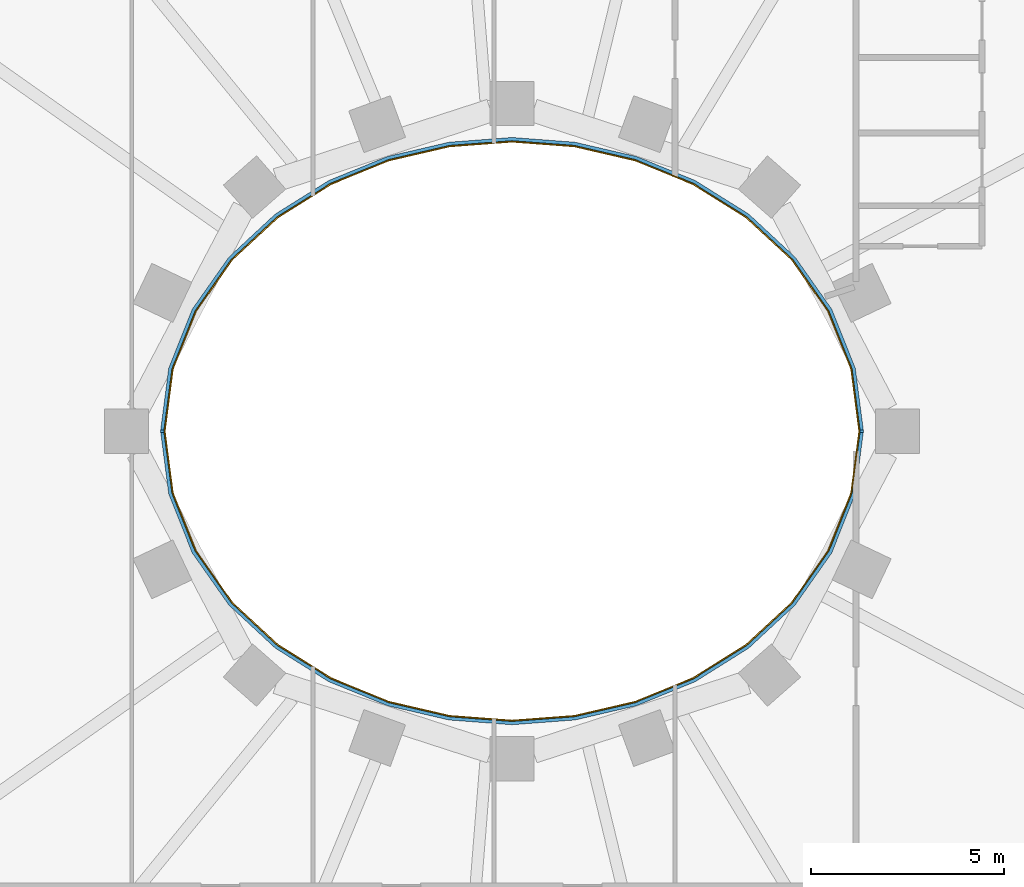
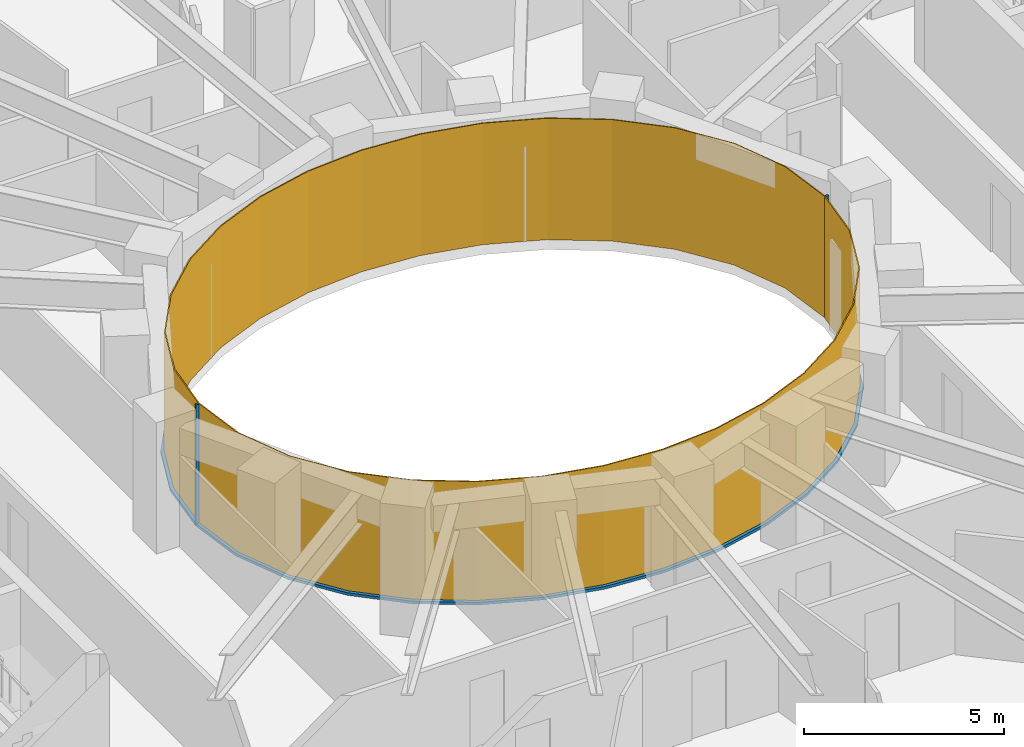
# One storey, part 10 of 15: 4 members, 2 curtain walls.
"""IFC4 building model written with IfcOpenShell, lengths in metres."""

from ifc_helpers import new_model, si_unit, direction, frame, origin, origin_2d, place, context, subcontext, project, spatial, polyline, rectangle, outline, extrude, material, layer, layer_set, material_profile, profile_set, type_object, element, aggregate, save


model = new_model("IFC4")

# Units and contexts
model_context = context("Model", 3, precision=1e-05, world=origin(), true_north=direction((0.0, 1.0)))
body_context = subcontext(model_context, "Body", "Model", "MODEL_VIEW")
ifc_project = project(units=[si_unit("LENGTHUNIT", "METRE"), si_unit("AREAUNIT", "SQUARE_METRE"), si_unit("VOLUMEUNIT", "CUBIC_METRE"), si_unit("PLANEANGLEUNIT", "RADIAN"), si_unit("MASSUNIT", "GRAM", prefix="KILO")], contexts=[model_context])

# Member
ifc_material_1 = material(Name="Steel S355 fire-resisting frame", Category="steel")
ifc_material_profile = material_profile(ifc_material_1, rectangle(XDim=0.090087890625, YDim=0.06005859375, at=origin_2d()), Name="90x60")
ifc_profile_set = profile_set([ifc_material_profile], Name="Steel S355 fire-resisting frame")
member_type_1 = type_object("IfcMemberType", Name="ENV-MULLION-W-90", PredefinedType="MULLION", material=ifc_profile_set)
site_placement = place(None, origin())
building_placement = place(site_placement, origin())
storey_placement = place(building_placement, frame((0.0, 0.0, 128.0)))
member_1_placement = place(storey_placement, frame((9.076904296875, 0.0, 0.0), z_axis=(0.0, 0.0, 1.0), x_axis=(1.0, 0.0, 0.0)))
member_1 = element("IfcMember", 1, at=member_1_placement, type_object=member_type_1, Name="Mullion W well vertex 01", PredefinedType="MULLION", context=body_context, shape_type="SweptSolid", body=[
    extrude(rectangle(XDim=0.090087890625, YDim=0.06005859375, at=origin_2d()), origin(), (0.0, 0.0, 1.0), 3.699951171875),
])

member_2_placement = place(storey_placement, frame((-9.076904296875, 0.0, 0.0), z_axis=(0.0, 0.0, 1.0), x_axis=(-1.0, 0.0, 0.0)))
member_2 = element("IfcMember", 2, at=member_2_placement, type_object=member_type_1, Name="Mullion W well vertex 17", PredefinedType="MULLION", context=body_context, shape_type="SweptSolid", body=[
    extrude(rectangle(XDim=0.090087890625, YDim=0.06005859375, at=origin_2d()), origin(), (0.0, 0.0, 1.0), 3.699951171875),
])

ifc_material_2 = material(Name="Steel S355 fire-resisting frame", Category="steel")
member_type_2 = type_object("IfcMemberType", Name="ENV-TRANSOM-W", PredefinedType="USERDEFINED", material=ifc_material_2)
member_3_placement = place(storey_placement, origin())
member_3 = element("IfcMember", 3, at=member_3_placement, type_object=member_type_2, Name="Transom W well 01-17", ObjectType="TRANSOM", PredefinedType="USERDEFINED", context=body_context, shape_type="SweptSolid", body=[
    extrude(outline(polyline([(9.119384765625, 0.02783203125), (8.910400390625, 1.63623046875), (8.29833984375, 3.167236328125), (7.35107421875, 4.5146484375), (6.1455078125, 5.6337890625), (4.75341796875, 6.50634765625), (3.233642578125, 7.127685546875), (1.635498046875, 7.498779296875), (0.0, 7.622314453125), (-1.635498046875, 7.498779296875), (-3.233642578125, 7.127685546875), (-4.75341796875, 6.50634765625), (-6.1455078125, 5.6337890625), (-7.35107421875, 4.5146484375), (-8.29833984375, 3.167236328125), (-8.910400390625, 1.63623046875), (-9.119384765625, 0.02783203125), (-9.02880859375, 0.02783203125), (-8.822509765625, 1.61328125), (-8.21875, 3.124267578125), (-7.282958984375, 4.455078125), (-6.090576171875, 5.56201171875), (-4.712158203125, 6.426025390625), (-3.206298828125, 7.04150390625), (-1.621826171875, 7.40966796875), (0.0, 7.531982421875), (1.621826171875, 7.40966796875), (3.206298828125, 7.04150390625), (4.712158203125, 6.426025390625), (6.090576171875, 5.56201171875), (7.282958984375, 4.455078125), (8.21875, 3.124267578125), (8.822509765625, 1.61328125), (9.02880859375, 0.02783203125), (9.119384765625, 0.02783203125)])), origin(), (0.0, 0.0, 1.0), 0.080078125),
])

member_4_placement = place(storey_placement, origin())
member_4 = element("IfcMember", 4, at=member_4_placement, type_object=member_type_2, Name="Transom W well 17-01", ObjectType="TRANSOM", PredefinedType="USERDEFINED", context=body_context, shape_type="SweptSolid", body=[
    extrude(outline(polyline([(-9.119384765625, -0.02783203125), (-8.910400390625, -1.63623046875), (-8.29833984375, -3.167236328125), (-7.35107421875, -4.5146484375), (-6.1455078125, -5.6337890625), (-4.75341796875, -6.50634765625), (-3.233642578125, -7.127685546875), (-1.635498046875, -7.498779296875), (0.0, -7.622314453125), (1.635498046875, -7.498779296875), (3.233642578125, -7.127685546875), (4.75341796875, -6.50634765625), (6.1455078125, -5.6337890625), (7.35107421875, -4.5146484375), (8.29833984375, -3.167236328125), (8.910400390625, -1.63623046875), (9.119384765625, -0.02783203125), (9.02880859375, -0.02783203125), (8.822509765625, -1.61328125), (8.21875, -3.124267578125), (7.282958984375, -4.455078125), (6.090576171875, -5.56201171875), (4.712158203125, -6.426025390625), (3.206298828125, -7.04150390625), (1.621826171875, -7.40966796875), (0.0, -7.531982421875), (-1.621826171875, -7.40966796875), (-3.206298828125, -7.04150390625), (-4.712158203125, -6.426025390625), (-6.090576171875, -5.56201171875), (-7.282958984375, -4.455078125), (-8.21875, -3.124267578125), (-8.822509765625, -1.61328125), (-9.02880859375, -0.02783203125), (-9.119384765625, -0.02783203125)])), origin(), (0.0, 0.0, 1.0), 0.080078125),
])

# Site, building, storey
site = spatial("IfcSite", under=ifc_project, at=site_placement, CompositionType="ELEMENT")
building = spatial("IfcBuilding", under=site, at=building_placement, Name="Noorbagh Ring Tower", CompositionType="ELEMENT")
storey = spatial("IfcBuildingStorey", under=building, at=storey_placement, Name="L29", CompositionType="ELEMENT", Elevation=128.0)

# Curtain wall
ifc_material_3 = material(Name="Glass fire-resisting E60 laminated", Category="glass")
ifc_layer = layer(ifc_material_3, 0.031982421875)
ifc_layer_set = layer_set([ifc_layer], Name="Glass fire-resisting E60 laminated")
curtain_wall_type = type_object("IfcCurtainWallType", Name="ENV-CW-W", PredefinedType="NOTDEFINED", material=ifc_layer_set)
curtain_wall_1_placement = place(storey_placement, origin())
curtain_wall_1 = element("IfcCurtainWall", 5, at=curtain_wall_1_placement, inside=storey, type_object=curtain_wall_type, Name="Curtain wall W W01", PredefinedType="NOTDEFINED", context=body_context, shape_type="SweptSolid", body=[
    extrude(outline(polyline([(9.0322265625, 0.0), (8.822509765625, 1.61328125), (8.21875, 3.124267578125), (7.282958984375, 4.455078125), (6.090576171875, 5.56201171875), (4.712158203125, 6.426025390625), (3.206298828125, 7.04150390625), (1.621826171875, 7.40966796875), (0.0, 7.531982421875), (-1.621826171875, 7.40966796875), (-3.206298828125, 7.04150390625), (-4.712158203125, 6.426025390625), (-6.090576171875, 5.56201171875), (-7.282958984375, 4.455078125), (-8.21875, 3.124267578125), (-8.822509765625, 1.61328125), (-9.0322265625, 0.0), (-9.0, 0.0), (-8.79150390625, 1.605224609375), (-8.1904296875, 3.10888671875), (-7.2587890625, 4.43408203125), (-6.071044921875, 5.53662109375), (-4.697509765625, 6.3974609375), (-3.196533203125, 7.010986328125), (-1.6171875, 7.3779296875), (0.0, 7.5), (1.6171875, 7.3779296875), (3.196533203125, 7.010986328125), (4.697509765625, 6.3974609375), (6.071044921875, 5.53662109375), (7.2587890625, 4.43408203125), (8.1904296875, 3.10888671875), (8.79150390625, 1.605224609375), (9.0, 0.0), (9.0322265625, 0.0)])), origin(), (0.0, 0.0, 1.0), 3.699951171875),
])

aggregate(curtain_wall_1, [member_1, member_2, member_3])

curtain_wall_2_placement = place(storey_placement, origin())
curtain_wall_2 = element("IfcCurtainWall", 6, at=curtain_wall_2_placement, inside=storey, type_object=curtain_wall_type, Name="Curtain wall W W17", PredefinedType="NOTDEFINED", context=body_context, shape_type="SweptSolid", body=[
    extrude(outline(polyline([(-9.0322265625, 0.0), (-8.822509765625, -1.61328125), (-8.21875, -3.124267578125), (-7.282958984375, -4.455078125), (-6.090576171875, -5.56201171875), (-4.712158203125, -6.426025390625), (-3.206298828125, -7.04150390625), (-1.621826171875, -7.40966796875), (0.0, -7.531982421875), (1.621826171875, -7.40966796875), (3.206298828125, -7.04150390625), (4.712158203125, -6.426025390625), (6.090576171875, -5.56201171875), (7.282958984375, -4.455078125), (8.21875, -3.124267578125), (8.822509765625, -1.61328125), (9.0322265625, 0.0), (9.0, 0.0), (8.79150390625, -1.605224609375), (8.1904296875, -3.10888671875), (7.2587890625, -4.43408203125), (6.071044921875, -5.53662109375), (4.697509765625, -6.3974609375), (3.196533203125, -7.010986328125), (1.6171875, -7.3779296875), (0.0, -7.5), (-1.6171875, -7.3779296875), (-3.196533203125, -7.010986328125), (-4.697509765625, -6.3974609375), (-6.071044921875, -5.53662109375), (-7.2587890625, -4.43408203125), (-8.1904296875, -3.10888671875), (-8.79150390625, -1.605224609375), (-9.0, 0.0), (-9.0322265625, 0.0)])), origin(), (0.0, 0.0, 1.0), 3.699951171875),
])

aggregate(curtain_wall_2, [member_4])

save(model, "model.ifc")
